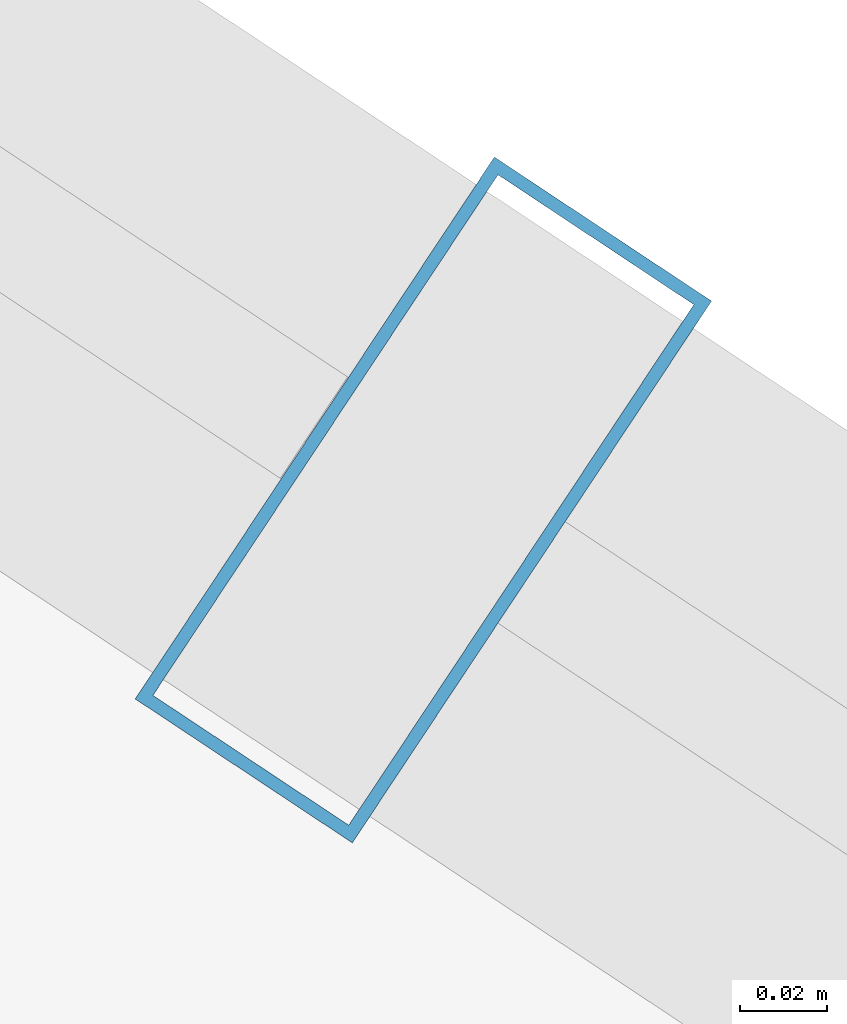
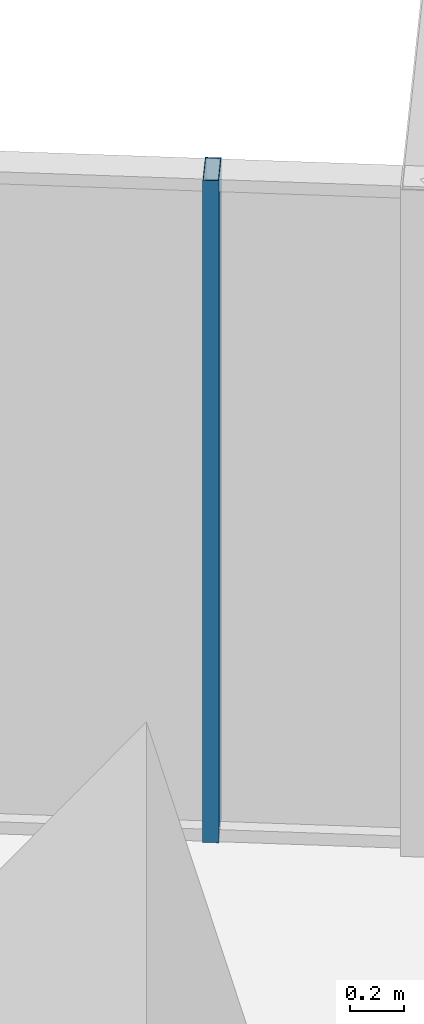
# One storey, part 23 of 29: 1 member, 1 element without a shape of its own.
"""IFC4 building model written with IfcOpenShell, lengths in metres."""

import ifcopenshell
import ifcopenshell.guid

model = None  # the IFC model being written
_history = None  # IfcOwnerHistory: only IFC2X3 demands one
_inside = {}  # id of a spatial element -> (the spatial element, [elements in it])
_under = {}  # id of a project, library or spatial element -> (it, [spatial elements below it])
_declared = {}  # id of a project -> (the project, [libraries it declares])
_typed = {}  # id of a type object -> (the type object, [elements of that type])
_made_of = {}  # id of a material, layer set ... -> (it, [elements and type objects made of it])


def new_model(schema):
    """Start an empty IFC model of exactly this schema.

    Asked for "IFC4X3", IfcOpenShell would pick the latest addendum, in which some entities
    have other attributes; the version numbers below select the first issue.
    IFC2X3 requires an IfcOwnerHistory on every rooted entity: one is made here for all.
    """
    global model, _history
    if schema == "IFC4X3":
        model = ifcopenshell.file(schema_version=(4, 3, 0, 0))
    else:
        model = ifcopenshell.file(schema=schema)
    _inside.clear()
    _under.clear()
    _declared.clear()
    _typed.clear()
    _made_of.clear()
    _history = None
    if model.schema == "IFC2X3":
        org = make("IfcOrganization", Name="unknown")
        user = make(
            "IfcPersonAndOrganization",
            ThePerson=make("IfcPerson", FamilyName="unknown"),
            TheOrganization=org,
        )
        app = make(
            "IfcApplication",
            ApplicationDeveloper=org,
            Version="unknown",
            ApplicationFullName="unknown",
            ApplicationIdentifier="unknown",
        )
        _history = make(
            "IfcOwnerHistory",
            OwningUser=user,
            OwningApplication=app,
            ChangeAction="ADDED",
            CreationDate=0,
        )
    return model


def make(cls, **values):
    """One entity of the class cls with the attributes given. An attribute that is None is left unset."""
    return model.create_entity(
        cls, **{name: value for name, value in values.items() if value is not None}
    )


def rooted(cls, **values):
    """An entity with a GlobalId (a new one), such as an element, a storey or a relation."""
    return make(cls, GlobalId=ifcopenshell.guid.new(), OwnerHistory=_history, **values)


def si_unit(unit_type, name, prefix=None):
    """IfcSIUnit, for example si_unit("LENGTHUNIT", "METRE", prefix="MILLI")."""
    return make("IfcSIUnit", UnitType=unit_type, Prefix=prefix, Name=name)


def assignment(units):
    """IfcUnitAssignment: the units of a project."""
    return None if units is None else make("IfcUnitAssignment", Units=units)


def point(xyz):
    """IfcCartesianPoint."""
    return None if xyz is None else make("IfcCartesianPoint", Coordinates=xyz)


def direction(xyz):
    """IfcDirection."""
    return None if xyz is None else make("IfcDirection", DirectionRatios=xyz)


def frame(location, z_axis=None, x_axis=None):
    """IfcAxis2Placement3D, a coordinate frame: its origin and axes. An axis left out is left unset."""
    return make(
        "IfcAxis2Placement3D",
        Location=point(location),
        Axis=direction(z_axis),
        RefDirection=direction(x_axis),
    )


def frame_2d(location, x_axis=None):
    """IfcAxis2Placement2D, a coordinate frame in the plane: its origin and x axis."""
    return make(
        "IfcAxis2Placement2D", Location=point(location), RefDirection=direction(x_axis)
    )


def origin():
    """The frame at (0, 0, 0) with its axes left unset."""
    return frame((0.0, 0.0, 0.0))


def origin_2d():
    """The frame at (0, 0) in the plane with its x axis left unset."""
    return frame_2d((0.0, 0.0))


def place(relative_to, where):
    """IfcLocalPlacement: puts the frame where relative to a parent placement (None: the world)."""
    return make(
        "IfcLocalPlacement", PlacementRelTo=relative_to, RelativePlacement=where
    )


def context(
    kind, dimensions, precision=None, world=None, true_north=None, identifier=None
):
    """IfcGeometricRepresentationContext, for example the 3D "Model" context."""
    return make(
        "IfcGeometricRepresentationContext",
        ContextIdentifier=identifier,
        ContextType=kind,
        CoordinateSpaceDimension=dimensions,
        Precision=precision,
        WorldCoordinateSystem=world,
        TrueNorth=true_north,
    )


def subcontext(parent, identifier, kind, view, scale=None):
    """IfcGeometricRepresentationSubContext, for example "Body" below "Model"."""
    return make(
        "IfcGeometricRepresentationSubContext",
        ContextIdentifier=identifier,
        ContextType=kind,
        ParentContext=parent,
        TargetScale=scale,
        TargetView=view,
    )


def project(units=None, contexts=None):
    """IfcProject with its units and contexts."""
    return rooted(
        "IfcProject",
        Name="project",
        RepresentationContexts=contexts,
        UnitsInContext=assignment(units),
    )


def spatial(cls, under=None, at=None, **own):
    """A site, building, storey or space (cls), placed at a placement, below another one or the project."""
    s = rooted(cls, ObjectPlacement=at, **own)
    if under is not None:
        _under.setdefault(under.id(), (under, []))[1].append(s)
    return s


def profile(cls, at=None, kind="AREA", **sizes):
    """A parametric profile (cls). Its sizes go by their IFC names, for example OverallWidth=200.0."""
    return make(cls, ProfileType=kind, Position=at, **sizes)


def hollow_rectangle(**sizes):
    """IfcRectangleHollowProfileDef."""
    return profile("IfcRectangleHollowProfileDef", **sizes)


def extrude(swept, where, along, depth):
    """IfcExtrudedAreaSolid: the profile swept, set in the frame where, extruded along a direction by depth."""
    return make(
        "IfcExtrudedAreaSolid",
        SweptArea=swept,
        Position=where,
        ExtrudedDirection=direction(along),
        Depth=depth,
    )


def shape(context_of_items, identifier, shape_type, items):
    """IfcShapeRepresentation: the items that make up one representation, for example the "Body"."""
    return make(
        "IfcShapeRepresentation",
        ContextOfItems=context_of_items,
        RepresentationIdentifier=identifier,
        RepresentationType=shape_type,
        Items=items,
    )


def source(mapping_origin, context_of_items, identifier, shape_type, items):
    """IfcRepresentationMap: a shape defined once, which mapped items show again and again."""
    return make(
        "IfcRepresentationMap",
        MappingOrigin=mapping_origin,
        MappedRepresentation=shape(context_of_items, identifier, shape_type, items),
    )


def transform(
    local_origin,
    x_axis=None,
    y_axis=None,
    z_axis=None,
    scale=None,
    scale2=None,
    scale3=None,
    uniform=True,
):
    """IfcCartesianTransformationOperator3D, or its non-uniform kind. x_axis, y_axis, z_axis: its Axis1, 2, 3."""
    if uniform:
        return make(
            "IfcCartesianTransformationOperator3D",
            Axis1=direction(x_axis),
            Axis2=direction(y_axis),
            LocalOrigin=point(local_origin),
            Scale=scale,
            Axis3=direction(z_axis),
        )
    return make(
        "IfcCartesianTransformationOperator3DnonUniform",
        Axis1=direction(x_axis),
        Axis2=direction(y_axis),
        LocalOrigin=point(local_origin),
        Scale=scale,
        Axis3=direction(z_axis),
        Scale2=scale2,
        Scale3=scale3,
    )


def mapped(mapping_source, mapping_target):
    """IfcMappedItem: shows the shape of a source again, moved by a transform."""
    return make(
        "IfcMappedItem", MappingSource=mapping_source, MappingTarget=mapping_target
    )


def material(Name=None, Category=None):
    """IfcMaterial."""
    return make("IfcMaterial", Name=Name, Category=Category)


def layer(
    of_material, thickness, ventilated=None, Name=None, Category=None, Priority=None
):
    """IfcMaterialLayer: one layer of a wall or slab, of a material (None: an air gap)."""
    return make(
        "IfcMaterialLayer",
        Material=of_material,
        LayerThickness=thickness,
        IsVentilated=ventilated,
        Name=Name,
        Category=Category,
        Priority=Priority,
    )


def layer_set(layers, Name=None):
    """IfcMaterialLayerSet."""
    return make("IfcMaterialLayerSet", MaterialLayers=layers, LayerSetName=Name)


def material_profile(
    of_material, cross_section, Name=None, Category=None, Priority=None
):
    """IfcMaterialProfile: a cross section and its material."""
    return make(
        "IfcMaterialProfile",
        Name=Name,
        Material=of_material,
        Profile=cross_section,
        Priority=Priority,
        Category=Category,
    )


def profile_set(profiles, Name=None, composite=None):
    """IfcMaterialProfileSet."""
    return make(
        "IfcMaterialProfileSet",
        Name=Name,
        MaterialProfiles=profiles,
        CompositeProfile=composite,
    )


def made_of(thing, what):
    """Note that an element or type object is made of a material, layer set ...; save() writes the relation."""
    if what is not None:
        _made_of.setdefault(what.id(), (what, []))[1].append(thing)
    return thing


def type_object(cls, material=None, **own):
    """A type object (cls), such as IfcWallType, which elements share."""
    return made_of(rooted(cls, **own), material)


def element(
    cls,
    number,
    at=None,
    inside=None,
    cuts=None,
    type_object=None,
    material=None,
    context=None,
    identifier="Body",
    shape_type=None,
    held_by="IfcProductDefinitionShape",
    body=None,
    shapes=None,
    **own,
):
    """One element of the class cls, such as IfcWall. Its Tag is "e" and its number.

    at: its placement. inside: the storey or other place that contains it. cuts: it is an
    opening in that element (IfcRelVoidsElement). A single representation is given by context,
    identifier, shape_type and body (its items); several are given by shapes. held_by: the class
    of the entity that holds the representations. save() writes the other relations.
    """
    e = rooted(cls, Tag="e%d" % number, ObjectPlacement=at, **own)
    if body is not None:
        shapes = [shape(context, identifier, shape_type, body)]
    if shapes is not None:
        e.Representation = make(held_by, Representations=shapes)
    if inside is not None:
        _inside.setdefault(inside.id(), (inside, []))[1].append(e)
    if cuts is not None:
        rooted(
            "IfcRelVoidsElement", RelatingBuildingElement=cuts, RelatedOpeningElement=e
        )
    if type_object is not None:
        _typed.setdefault(type_object.id(), (type_object, []))[1].append(e)
    return made_of(e, material)


def aggregate(whole, parts):
    """IfcRelAggregates: a whole, such as a stair, and the parts it consists of."""
    return rooted("IfcRelAggregates", RelatingObject=whole, RelatedObjects=parts)


def save(model, path):
    """Write the relations noted so far, then the file.

    IfcRelAggregates (storeys below a building ...), IfcRelContainedInSpatialStructure (elements
    in a storey), IfcRelDefinesByType, IfcRelAssociatesMaterial and IfcRelDeclares: one each for
    every whole, place, type object, material and project.
    """
    for whole, parts in _under.values():
        aggregate(whole, parts)
    for where, things in _inside.values():
        rooted(
            "IfcRelContainedInSpatialStructure",
            RelatedElements=things,
            RelatingStructure=where,
        )
    for kind, things in _typed.values():
        rooted("IfcRelDefinesByType", RelatedObjects=things, RelatingType=kind)
    for what, things in _made_of.values():
        rooted("IfcRelAssociatesMaterial", RelatedObjects=things, RelatingMaterial=what)
    for by, libraries in _declared.values():
        rooted("IfcRelDeclares", RelatingContext=by, RelatedDefinitions=libraries)
    model.write(path)


model = new_model("IFC4")

# Units and contexts
model_context = context("Model", 3, precision=1e-05, world=origin(), true_north=direction((0.0, 1.0)))
body_context = subcontext(model_context, "Body", "Model", "MODEL_VIEW")
ifc_project = project(units=[si_unit("LENGTHUNIT", "METRE"), si_unit("AREAUNIT", "SQUARE_METRE"), si_unit("VOLUMEUNIT", "CUBIC_METRE"), si_unit("PLANEANGLEUNIT", "RADIAN"), si_unit("MASSUNIT", "GRAM", prefix="KILO")], contexts=[model_context])

# Site, building, storey
site_placement = place(None, origin())
site = spatial("IfcSite", under=ifc_project, at=site_placement, CompositionType="ELEMENT")
building_placement = place(site_placement, origin())
building = spatial("IfcBuilding", under=site, at=building_placement, Name="Veraguas Prism Commons", CompositionType="ELEMENT")
storey_placement = place(building_placement, frame((0.0, 0.0, 218.89990234375)))
storey = spatial("IfcBuildingStorey", under=building, at=storey_placement, Name="L62", CompositionType="ELEMENT", Elevation=218.89990234375)

# Curtain wall, member
ifc_material = material(Name="Anodised aluminium EN AW-6063 T6", Category="aluminium")
ifc_layer = layer(ifc_material, 0.14990234375, Name="Unitised Flush Curtain Wall Zone 3", Category="aluminium")
ifc_layer_set = layer_set([ifc_layer], Name="Anodised aluminium EN AW-6063 T6")
curtain_wall_type = type_object("IfcCurtainWallType", Name="Unitised Flush Curtain Wall Zone 3", PredefinedType="NOTDEFINED", material=ifc_layer_set)
curtain_wall_placement = place(storey_placement, origin())
curtain_wall = element("IfcCurtainWall", 1, at=curtain_wall_placement, inside=storey, type_object=curtain_wall_type, Name="Tower Facade Curtain Wall L62-F1", PredefinedType="NOTDEFINED")
ifc_material_profile = material_profile(ifc_material, hollow_rectangle(XDim=0.06005859375, YDim=0.14990234375, WallThickness=0.0029296875, at=origin_2d()), Name="AL60X150X3")
ifc_profile_set = profile_set([ifc_material_profile], Name="Anodised aluminium EN AW-6063 T6")
member_type = type_object("IfcMemberType", Name="Curtain Wall Mullion Upper AL 60x150x3", PredefinedType="MULLION", material=ifc_profile_set)
shared_shape = source(origin(), body_context, "Body", "SweptSolid", [
    extrude(hollow_rectangle(XDim=0.06005859375, YDim=0.14990234375, WallThickness=0.0029296875, at=origin_2d()), origin(), (0.0, 0.0, 1.0), 3.01513671875),
])
member_placement = place(storey_placement, frame((30.4716796875, 40.9580078125, 0.0), z_axis=(0.0, 0.0, 1.0), x_axis=(-0.833503187151, 0.552514648683, 0.0)))
member = element("IfcMember", 2, at=member_placement, type_object=member_type, Name="CW-Z3 Mullion 4", PredefinedType="MULLION", context=body_context, shape_type="MappedRepresentation", body=[
    mapped(shared_shape, transform((0.0, 0.0, 0.0), scale=1.0)),
])
aggregate(curtain_wall, [member])

save(model, "model.ifc")
